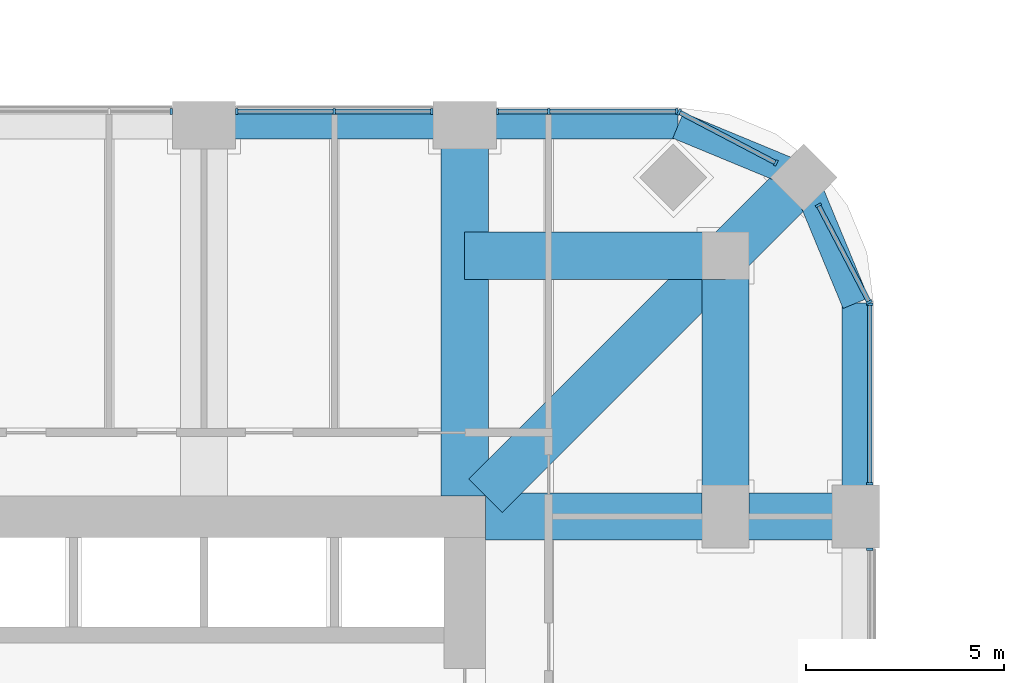
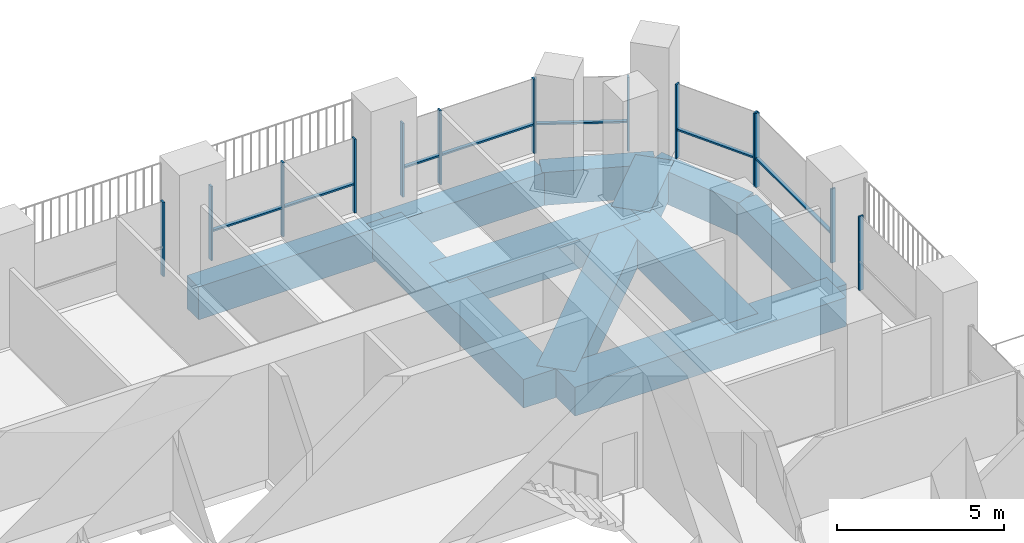
# One storey, part 7 of 20: 21 members, 11 beams, 7 elements without a shape of their own.
"""IFC4 building model written with IfcOpenShell, lengths in metres."""

from ifc_helpers import new_model, si_unit, direction, frame, origin, origin_2d, place, context, subcontext, project, spatial, rectangle, extrude, material, material_profile, profile_set, type_object, element, aggregate, save


model = new_model("IFC4")

# Units and contexts
model_context = context("Model", 3, precision=1e-05, world=origin(), true_north=direction((0.0, 1.0)))
body_context = subcontext(model_context, "Body", "Model", "MODEL_VIEW")
ifc_project = project(units=[si_unit("LENGTHUNIT", "METRE"), si_unit("AREAUNIT", "SQUARE_METRE"), si_unit("VOLUMEUNIT", "CUBIC_METRE"), si_unit("PLANEANGLEUNIT", "RADIAN"), si_unit("MASSUNIT", "GRAM", prefix="KILO")], contexts=[model_context])

# Site, building, storey
site_placement = place(None, origin())
site = spatial("IfcSite", under=ifc_project, at=site_placement, CompositionType="ELEMENT")
building_placement = place(site_placement, origin())
building = spatial("IfcBuilding", under=site, at=building_placement, Name="Cobogo Forest Laboratory Tower", CompositionType="ELEMENT")
storey_placement = place(building_placement, frame((0.0, 0.0, 168.300048828125)))
storey = spatial("IfcBuildingStorey", under=building, at=storey_placement, Name="L38", CompositionType="ELEMENT", Elevation=168.300048828125)

# Beams
ifc_material_1 = material(Name="Concrete HA-40 (C40/50)", Category="concrete")
ifc_material_profile_1 = material_profile(ifc_material_1, rectangle(XDim=1.199951171875, YDim=1.050048828125, at=origin_2d()), Name="RC 1200x1050")
ifc_profile_set_1 = profile_set([ifc_material_profile_1], Name="Concrete HA-40 (C40/50)")
beam_type_1 = type_object("IfcBeamType", Name="Laboratory floor wide beam 1200x1050", PredefinedType="BEAM", material=ifc_profile_set_1)
for number, where, z_axis, x_axis, name in (
    (1, (39.60009765625, 33.52490234375, -0.824951171875), (0.0, 1.0, 0.0), (-1.0, 0.0, 0.0), "RB1 R-7-N L38"),
    (2, (40.125, 33.0, -0.824951171875), (1.0, 0.0, 0.0), (0.0, 1.0, 0.0), "RB1 R-F-E L38"),
):
    element("IfcBeam", number, at=place(storey_placement, frame(where, z_axis=z_axis, x_axis=x_axis)), inside=storey, type_object=beam_type_1, Name=name, PredefinedType="BEAM", context=body_context, shape_type="SweptSolid", body=[
        extrude(rectangle(XDim=1.199951171875, YDim=1.050048828125, at=origin_2d()), origin(), (0.0, 0.0, 1.0), 9.375),
    ])
beam_1_placement = place(storey_placement, frame((46.199951171875, 39.60009765625, -0.824951171875), z_axis=(0.0, -1.0, 0.0), x_axis=(1.0, 0.0, 0.0)))
element("IfcBeam", 3, at=beam_1_placement, inside=storey, type_object=beam_type_1, Name="RB1 G-NE-XC L38", PredefinedType="BEAM", context=body_context, shape_type="SweptSolid", body=[
    extrude(rectangle(XDim=1.199951171875, YDim=1.050048828125, at=origin_2d()), origin(), (0.0, 0.0, 1.0), 6.60009765625),
])
beam_2_placement = place(storey_placement, frame((46.199951171875, 39.60009765625, -0.824951171875), z_axis=(-1.0, 0.0, 0.0), x_axis=(0.0, -1.0, 0.0)))
element("IfcBeam", 4, at=beam_2_placement, inside=storey, type_object=beam_type_1, Name="RB1 G-NE-YC L38", PredefinedType="BEAM", context=body_context, shape_type="SweptSolid", body=[
    extrude(rectangle(XDim=1.199951171875, YDim=1.050048828125, at=origin_2d()), origin(), (0.0, 0.0, 1.0), 6.599853515625),
])
beam_3_placement = place(storey_placement, frame((48.181884765625, 41.58203125, -0.824951171875), z_axis=(-0.707106781187, -0.707106781187, 0.0), x_axis=(0.707106781187, -0.707106781187, 0.0)))
element("IfcBeam", 5, at=beam_3_placement, inside=storey, type_object=beam_type_1, Name="RB1 G-NE-D1 L38", PredefinedType="BEAM", context=body_context, shape_type="SweptSolid", body=[
    extrude(rectangle(XDim=1.199951171875, YDim=1.050048828125, at=origin_2d()), origin(), (0.0, 0.0, 1.0), 2.802978515625),
])
beam_4_placement = place(storey_placement, frame((46.199951171875, 39.60009765625, -0.824951171875), z_axis=(-0.707092572697, -0.70712098939, 0.0), x_axis=(0.70712098939, -0.707092572697, 0.0)))
element("IfcBeam", 6, at=beam_4_placement, inside=storey, type_object=beam_type_1, Name="RB1 G-NE-D2 L38", PredefinedType="BEAM", context=body_context, shape_type="SweptSolid", body=[
    extrude(rectangle(XDim=1.199951171875, YDim=1.050048828125, at=origin_2d()), origin(), (0.0, 0.0, 1.0), 8.591552734375),
])

# Curtain wall, member
ifc_material_2 = material(Name="Aluminium curtain wall", Category="aluminium")
curtain_wall_type = type_object("IfcCurtainWallType", Name="CW-2 unitised curtain wall, solar control glazing, laboratory floors zones C and D", PredefinedType="USERDEFINED", material=ifc_material_2)
curtain_wall_1_placement = place(storey_placement, origin())
curtain_wall_1 = element("IfcCurtainWall", 7, at=curtain_wall_1_placement, inside=storey, type_object=curtain_wall_type, Name="Curtain wall 12 L38", ObjectType="UNITISED CURTAIN WALL", PredefinedType="USERDEFINED")
ifc_material_3 = material(Name="Aluminium mullion", Category="aluminium")
ifc_material_profile_2 = material_profile(ifc_material_3, rectangle(XDim=0.06005859375, YDim=0.159912109375, at=origin_2d()), Name="AL 60x160")
ifc_profile_set_2 = profile_set([ifc_material_profile_2], Name="Aluminium mullion")
member_type_1 = type_object("IfcMemberType", Name="MU-1 aluminium mullion 60x160", PredefinedType="MULLION", material=ifc_profile_set_2)
member_1_placement = place(storey_placement, frame((49.85009765625, 32.169921875, 0.0), z_axis=(0.0, 0.0, 1.0), x_axis=(0.0, 1.0, 0.0)))
member_1 = element("IfcMember", 8, at=member_1_placement, type_object=member_type_1, Name="CW-2 mullion 2", PredefinedType="MULLION", context=body_context, shape_type="SweptSolid", body=[
    extrude(rectangle(XDim=0.06005859375, YDim=0.159912109375, at=origin_2d()), origin(), (0.0, 0.0, 1.0), 2.699951171875),
])
aggregate(curtain_wall_1, [member_1])

# Curtain wall, members
curtain_wall_2_placement = place(storey_placement, origin())
curtain_wall_2 = element("IfcCurtainWall", 9, at=curtain_wall_2_placement, inside=storey, type_object=curtain_wall_type, Name="Curtain wall 13 L38", ObjectType="UNITISED CURTAIN WALL", PredefinedType="USERDEFINED")
member_2_placement = place(storey_placement, frame((49.85009765625, 33.830078125, 0.0), z_axis=(0.0, 0.0, 1.0), x_axis=(0.0, 1.0, 0.0)))
member_2 = element("IfcMember", 10, at=member_2_placement, type_object=member_type_1, Name="CW-2 mullion 1", PredefinedType="MULLION", context=body_context, shape_type="SweptSolid", body=[
    extrude(rectangle(XDim=0.06005859375, YDim=0.159912109375, at=origin_2d()), origin(), (0.0, 0.0, 1.0), 2.699951171875),
])
member_3_placement = place(storey_placement, frame((49.85009765625, 38.3701171875, 0.0), z_axis=(0.0, 0.0, 1.0), x_axis=(0.0, 1.0, 0.0)))
member_3 = element("IfcMember", 11, at=member_3_placement, type_object=member_type_1, Name="CW-2 mullion 2", PredefinedType="MULLION", context=body_context, shape_type="SweptSolid", body=[
    extrude(rectangle(XDim=0.06005859375, YDim=0.159912109375, at=origin_2d()), origin(), (0.0, 0.0, 1.0), 2.699951171875),
])

curtain_wall_3_placement = place(storey_placement, origin())
curtain_wall_3 = element("IfcCurtainWall", 12, at=curtain_wall_3_placement, inside=storey, type_object=curtain_wall_type, Name="Curtain wall 14 L38", ObjectType="UNITISED CURTAIN WALL", PredefinedType="USERDEFINED")
member_4_placement = place(storey_placement, frame((49.836181640625, 38.426513671875, 0.0), z_axis=(0.0, 0.0, 1.0), x_axis=(-0.464283818822, 0.885686477022, 0.0)))
member_4 = element("IfcMember", 13, at=member_4_placement, type_object=member_type_1, Name="CW-2 mullion 1", PredefinedType="MULLION", context=body_context, shape_type="SweptSolid", body=[
    extrude(rectangle(XDim=0.06005859375, YDim=0.159912109375, at=origin_2d()), origin(), (0.0, 0.0, 1.0), 2.699951171875),
])
member_5_placement = place(storey_placement, frame((48.551025390625, 40.878173828125, 0.0), z_axis=(0.0, 0.0, 1.0), x_axis=(-0.464283818822, 0.885686477022, 0.0)))
member_5 = element("IfcMember", 14, at=member_5_placement, type_object=member_type_1, Name="CW-2 mullion 2", PredefinedType="MULLION", context=body_context, shape_type="SweptSolid", body=[
    extrude(rectangle(XDim=0.06005859375, YDim=0.159912109375, at=origin_2d()), origin(), (0.0, 0.0, 1.0), 2.699951171875),
])

curtain_wall_4_placement = place(storey_placement, origin())
curtain_wall_4 = element("IfcCurtainWall", 15, at=curtain_wall_4_placement, inside=storey, type_object=curtain_wall_type, Name="Curtain wall 15 L38", ObjectType="UNITISED CURTAIN WALL", PredefinedType="USERDEFINED")
member_6_placement = place(storey_placement, frame((47.47802734375, 41.950927734375, 0.0), z_axis=(0.0, 0.0, 1.0), x_axis=(-0.885686477022, 0.464283818822, 0.0)))
member_6 = element("IfcMember", 16, at=member_6_placement, type_object=member_type_1, Name="CW-2 mullion 1", PredefinedType="MULLION", context=body_context, shape_type="SweptSolid", body=[
    extrude(rectangle(XDim=0.06005859375, YDim=0.159912109375, at=origin_2d()), origin(), (0.0, 0.0, 1.0), 2.699951171875),
])
member_7_placement = place(storey_placement, frame((45.026611328125, 43.236083984375, 0.0), z_axis=(0.0, 0.0, 1.0), x_axis=(-0.885686477022, 0.464283818822, 0.0)))
member_7 = element("IfcMember", 17, at=member_7_placement, type_object=member_type_1, Name="CW-2 mullion 2", PredefinedType="MULLION", context=body_context, shape_type="SweptSolid", body=[
    extrude(rectangle(XDim=0.06005859375, YDim=0.159912109375, at=origin_2d()), origin(), (0.0, 0.0, 1.0), 2.699951171875),
])

curtain_wall_5_placement = place(storey_placement, origin())
curtain_wall_5 = element("IfcCurtainWall", 18, at=curtain_wall_5_placement, inside=storey, type_object=curtain_wall_type, Name="Curtain wall 16 L38", ObjectType="UNITISED CURTAIN WALL", PredefinedType="USERDEFINED")
member_8_placement = place(storey_placement, frame((44.969970703125, 43.25, 0.0), z_axis=(0.0, 0.0, 1.0), x_axis=(-1.0, 0.0, 0.0)))
member_8 = element("IfcMember", 19, at=member_8_placement, type_object=member_type_1, Name="CW-2 mullion 1", PredefinedType="MULLION", context=body_context, shape_type="SweptSolid", body=[
    extrude(rectangle(XDim=0.06005859375, YDim=0.159912109375, at=origin_2d()), origin(), (0.0, 0.0, 1.0), 2.699951171875),
])
member_9_placement = place(storey_placement, frame((41.72509765625, 43.25, 0.0), z_axis=(0.0, 0.0, 1.0), x_axis=(-1.0, 0.0, 0.0)))
member_9 = element("IfcMember", 20, at=member_9_placement, type_object=member_type_1, Name="CW-2 mullion 2", PredefinedType="MULLION", context=body_context, shape_type="SweptSolid", body=[
    extrude(rectangle(XDim=0.06005859375, YDim=0.159912109375, at=origin_2d()), origin(), (0.0, 0.0, 1.0), 2.699951171875),
])
member_10_placement = place(storey_placement, frame((40.429931640625, 43.25, 0.0), z_axis=(0.0, 0.0, 1.0), x_axis=(-1.0, 0.0, 0.0)))
member_10 = element("IfcMember", 21, at=member_10_placement, type_object=member_type_1, Name="CW-2 mullion 3", PredefinedType="MULLION", context=body_context, shape_type="SweptSolid", body=[
    extrude(rectangle(XDim=0.06005859375, YDim=0.159912109375, at=origin_2d()), origin(), (0.0, 0.0, 1.0), 2.699951171875),
])

curtain_wall_6_placement = place(storey_placement, origin())
curtain_wall_6 = element("IfcCurtainWall", 22, at=curtain_wall_6_placement, inside=storey, type_object=curtain_wall_type, Name="Curtain wall 17 L38", ObjectType="UNITISED CURTAIN WALL", PredefinedType="USERDEFINED")
member_11_placement = place(storey_placement, frame((38.77001953125, 43.25, 0.0), z_axis=(0.0, 0.0, 1.0), x_axis=(-1.0, 0.0, 0.0)))
member_11 = element("IfcMember", 23, at=member_11_placement, type_object=member_type_1, Name="CW-2 mullion 1", PredefinedType="MULLION", context=body_context, shape_type="SweptSolid", body=[
    extrude(rectangle(XDim=0.06005859375, YDim=0.159912109375, at=origin_2d()), origin(), (0.0, 0.0, 1.0), 2.699951171875),
])
member_12_placement = place(storey_placement, frame((36.300048828125, 43.25, 0.0), z_axis=(0.0, 0.0, 1.0), x_axis=(-1.0, 0.0, 0.0)))
member_12 = element("IfcMember", 24, at=member_12_placement, type_object=member_type_1, Name="CW-2 mullion 2", PredefinedType="MULLION", context=body_context, shape_type="SweptSolid", body=[
    extrude(rectangle(XDim=0.06005859375, YDim=0.159912109375, at=origin_2d()), origin(), (0.0, 0.0, 1.0), 2.699951171875),
])
member_13_placement = place(storey_placement, frame((33.830078125, 43.25, 0.0), z_axis=(0.0, 0.0, 1.0), x_axis=(-1.0, 0.0, 0.0)))
member_13 = element("IfcMember", 25, at=member_13_placement, type_object=member_type_1, Name="CW-2 mullion 3", PredefinedType="MULLION", context=body_context, shape_type="SweptSolid", body=[
    extrude(rectangle(XDim=0.06005859375, YDim=0.159912109375, at=origin_2d()), origin(), (0.0, 0.0, 1.0), 2.699951171875),
])

# Curtain wall, member
curtain_wall_7_placement = place(storey_placement, origin())
curtain_wall_7 = element("IfcCurtainWall", 26, at=curtain_wall_7_placement, inside=storey, type_object=curtain_wall_type, Name="Curtain wall 18 L38", ObjectType="UNITISED CURTAIN WALL", PredefinedType="USERDEFINED")
member_14_placement = place(storey_placement, frame((32.169921875, 43.25, 0.0), z_axis=(0.0, 0.0, 1.0), x_axis=(-1.0, 0.0, 0.0)))
member_14 = element("IfcMember", 27, at=member_14_placement, type_object=member_type_1, Name="CW-2 mullion 1", PredefinedType="MULLION", context=body_context, shape_type="SweptSolid", body=[
    extrude(rectangle(XDim=0.06005859375, YDim=0.159912109375, at=origin_2d()), origin(), (0.0, 0.0, 1.0), 2.699951171875),
])
aggregate(curtain_wall_7, [member_14])

# Beams
ifc_material_profile_3 = material_profile(ifc_material_1, rectangle(XDim=0.699951171875, YDim=1.199951171875, at=origin_2d()), Name="RC 700x1200")
ifc_profile_set_3 = profile_set([ifc_material_profile_3], Name="Concrete HA-40 (C40/50)")
beam_type_2 = type_object("IfcBeamType", Name="Perimeter edge beam 700x1200", PredefinedType="BEAM", material=ifc_profile_set_3)
beam_5_placement = place(storey_placement, frame((33.0, 42.89990234375, -0.900146484375), z_axis=(1.0, 0.0, 0.0), x_axis=(0.0, 1.0, 0.0)))
element("IfcBeam", 28, at=beam_5_placement, inside=storey, type_object=beam_type_2, Name="EB1 E-N4 L38", PredefinedType="BEAM", context=body_context, shape_type="SweptSolid", body=[
    extrude(rectangle(XDim=0.699951171875, YDim=1.199951171875, at=origin_2d()), origin(), (0.0, 0.0, 1.0), 6.60009765625),
])
beam_6_placement = place(storey_placement, frame((49.5, 33.0, -0.900146484375), z_axis=(0.0, 1.0, 0.0), x_axis=(-1.0, 0.0, 0.0)))
element("IfcBeam", 29, at=beam_6_placement, inside=storey, type_object=beam_type_2, Name="EB1 E-NEE1 L38", PredefinedType="BEAM", context=body_context, shape_type="SweptSolid", body=[
    extrude(rectangle(XDim=0.699951171875, YDim=1.199951171875, at=origin_2d()), origin(), (0.0, 0.0, 1.0), 5.39990234375),
])
beam_7_placement = place(storey_placement, frame((49.5, 38.39990234375, -0.900146484375), z_axis=(-0.382691928466, 0.923876013265, 0.0), x_axis=(-0.923876013265, -0.382691928466, 0.0)))
element("IfcBeam", 30, at=beam_7_placement, inside=storey, type_object=beam_type_2, Name="EB1 E-NEE2 L38", PredefinedType="BEAM", context=body_context, shape_type="SweptSolid", body=[
    extrude(rectangle(XDim=0.699951171875, YDim=1.199951171875, at=origin_2d()), origin(), (0.0, 0.0, 1.0), 3.4443359375),
])
beam_8_placement = place(storey_placement, frame((39.60009765625, 42.89990234375, -0.900146484375), z_axis=(1.0, 0.0, 0.0), x_axis=(0.0, 1.0, 0.0)))
element("IfcBeam", 31, at=beam_8_placement, inside=storey, type_object=beam_type_2, Name="EB1 E-NEN1 L38", PredefinedType="BEAM", context=body_context, shape_type="SweptSolid", body=[
    extrude(rectangle(XDim=0.699951171875, YDim=1.199951171875, at=origin_2d()), origin(), (0.0, 0.0, 1.0), 5.39990234375),
])
beam_9_placement = place(storey_placement, frame((45.0, 42.89990234375, -0.900146484375), z_axis=(0.923890694089, -0.382656484822, 0.0), x_axis=(0.382656484822, 0.923890694089, 0.0)))
element("IfcBeam", 32, at=beam_9_placement, inside=storey, type_object=beam_type_2, Name="EB1 E-NEN2 L38", PredefinedType="BEAM", context=body_context, shape_type="SweptSolid", body=[
    extrude(rectangle(XDim=0.699951171875, YDim=1.199951171875, at=origin_2d()), origin(), (0.0, 0.0, 1.0), 3.444091796875),
])

# Member
ifc_material_4 = material(Name="Aluminium transom", Category="aluminium")
ifc_material_profile_4 = material_profile(ifc_material_4, rectangle(XDim=0.1201171875, YDim=0.06005859375, at=origin_2d()), Name="AL 60x120")
ifc_profile_set_4 = profile_set([ifc_material_profile_4], Name="Aluminium transom")
member_type_2 = type_object("IfcMemberType", Name="TR-1 aluminium transom 60x120", PredefinedType="USERDEFINED", material=ifc_profile_set_4)
member_15_placement = place(storey_placement, frame((49.85009765625, 33.860107421875, 1.050048828125), z_axis=(0.0, 1.0, 0.0), x_axis=(-1.0, 0.0, 0.0)))
member_15 = element("IfcMember", 33, at=member_15_placement, type_object=member_type_2, Name="CW-2 transom 1.1", ObjectType="TRANSOM", PredefinedType="USERDEFINED", context=body_context, shape_type="SweptSolid", body=[
    extrude(rectangle(XDim=0.1201171875, YDim=0.06005859375, at=origin_2d()), origin(), (0.0, 0.0, 1.0), 4.47998046875),
])

aggregate(curtain_wall_2, [member_2, member_3, member_15])

member_16_placement = place(storey_placement, frame((49.822021484375, 38.453125, 1.050048828125), z_axis=(-0.464225959694, 0.885716804823, 0.0), x_axis=(-0.885716804823, -0.464225959694, 0.0)))
member_16 = element("IfcMember", 34, at=member_16_placement, type_object=member_type_2, Name="CW-2 transom 1.1", ObjectType="TRANSOM", PredefinedType="USERDEFINED", context=body_context, shape_type="SweptSolid", body=[
    extrude(rectangle(XDim=0.1201171875, YDim=0.06005859375, at=origin_2d()), origin(), (0.0, 0.0, 1.0), 2.7080078125),
])

aggregate(curtain_wall_3, [member_4, member_5, member_16])

member_17_placement = place(storey_placement, frame((47.451416015625, 41.96484375, 1.050048828125), z_axis=(-0.885660295744, 0.464333759857, 0.0), x_axis=(-0.464333759857, -0.885660295744, 0.0)))
member_17 = element("IfcMember", 35, at=member_17_placement, type_object=member_type_2, Name="CW-2 transom 1.1", ObjectType="TRANSOM", PredefinedType="USERDEFINED", context=body_context, shape_type="SweptSolid", body=[
    extrude(rectangle(XDim=0.1201171875, YDim=0.06005859375, at=origin_2d()), origin(), (0.0, 0.0, 1.0), 2.707763671875),
])

aggregate(curtain_wall_4, [member_6, member_7, member_17])

member_18_placement = place(storey_placement, frame((44.93994140625, 43.25, 1.050048828125), z_axis=(-1.0, 0.0, 0.0), x_axis=(0.0, -1.0, 0.0)))
member_18 = element("IfcMember", 36, at=member_18_placement, type_object=member_type_2, Name="CW-2 transom 1.1", ObjectType="TRANSOM", PredefinedType="USERDEFINED", context=body_context, shape_type="SweptSolid", body=[
    extrude(rectangle(XDim=0.1201171875, YDim=0.06005859375, at=origin_2d()), origin(), (0.0, 0.0, 1.0), 3.18505859375),
])

member_19_placement = place(storey_placement, frame((41.695068359375, 43.25, 1.050048828125), z_axis=(-1.0, 0.0, 0.0), x_axis=(0.0, -1.0, 0.0)))
member_19 = element("IfcMember", 37, at=member_19_placement, type_object=member_type_2, Name="CW-2 transom 2.1", ObjectType="TRANSOM", PredefinedType="USERDEFINED", context=body_context, shape_type="SweptSolid", body=[
    extrude(rectangle(XDim=0.1201171875, YDim=0.06005859375, at=origin_2d()), origin(), (0.0, 0.0, 1.0), 1.235107421875),
])

aggregate(curtain_wall_5, [member_8, member_9, member_10, member_18, member_19])

member_20_placement = place(storey_placement, frame((38.739990234375, 43.25, 1.050048828125), z_axis=(-1.0, 0.0, 0.0), x_axis=(0.0, -1.0, 0.0)))
member_20 = element("IfcMember", 38, at=member_20_placement, type_object=member_type_2, Name="CW-2 transom 1.1", ObjectType="TRANSOM", PredefinedType="USERDEFINED", context=body_context, shape_type="SweptSolid", body=[
    extrude(rectangle(XDim=0.1201171875, YDim=0.06005859375, at=origin_2d()), origin(), (0.0, 0.0, 1.0), 2.409912109375),
])

member_21_placement = place(storey_placement, frame((36.27001953125, 43.25, 1.050048828125), z_axis=(-1.0, 0.0, 0.0), x_axis=(0.0, -1.0, 0.0)))
member_21 = element("IfcMember", 39, at=member_21_placement, type_object=member_type_2, Name="CW-2 transom 2.1", ObjectType="TRANSOM", PredefinedType="USERDEFINED", context=body_context, shape_type="SweptSolid", body=[
    extrude(rectangle(XDim=0.1201171875, YDim=0.06005859375, at=origin_2d()), origin(), (0.0, 0.0, 1.0), 2.409912109375),
])

aggregate(curtain_wall_6, [member_11, member_12, member_13, member_20, member_21])

save(model, "model.ifc")
